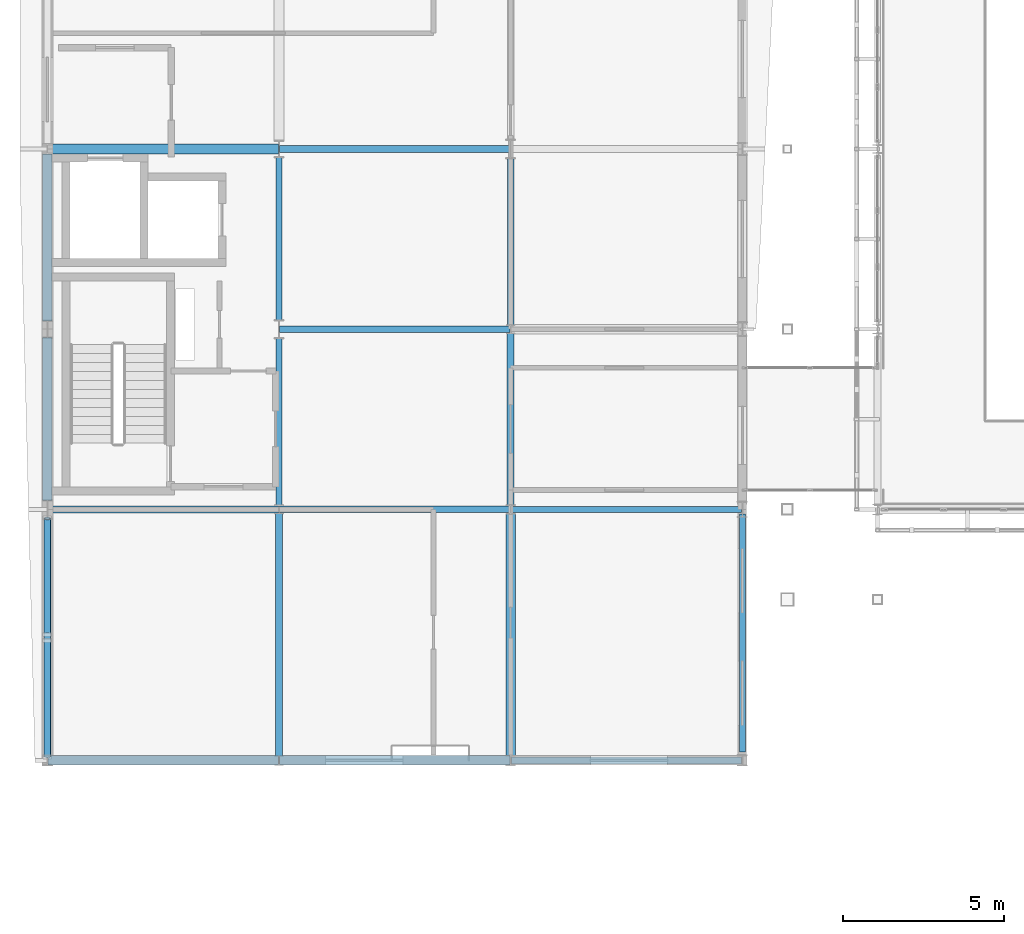
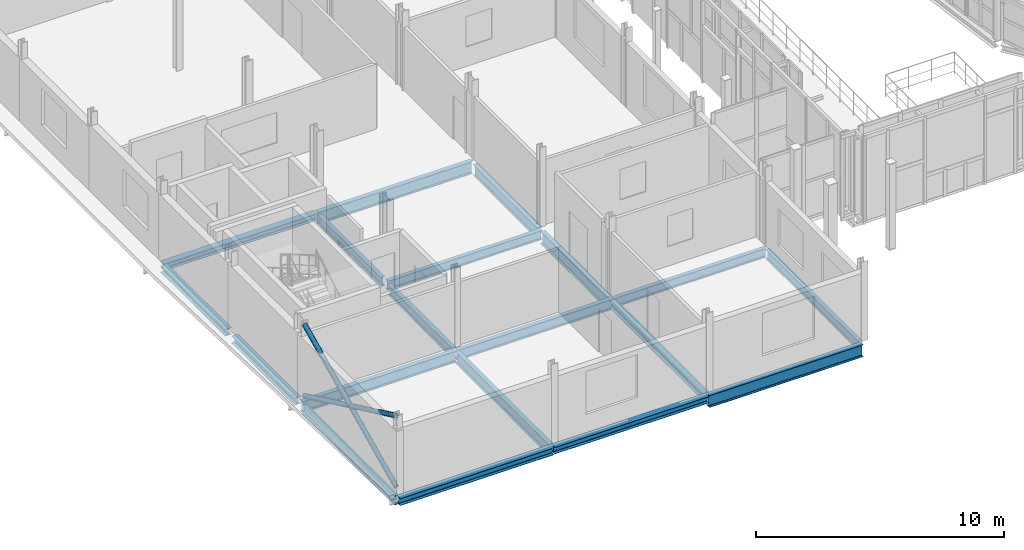
# One storey, part 19 of 78: 19 beams, 3 members.
"""IFC4 building model written with IfcOpenShell, lengths in metres."""

import ifcopenshell
import ifcopenshell.guid

model = None  # the IFC model being written
_history = None  # IfcOwnerHistory: only IFC2X3 demands one
_inside = {}  # id of a spatial element -> (the spatial element, [elements in it])
_under = {}  # id of a project, library or spatial element -> (it, [spatial elements below it])
_declared = {}  # id of a project -> (the project, [libraries it declares])
_typed = {}  # id of a type object -> (the type object, [elements of that type])
_made_of = {}  # id of a material, layer set ... -> (it, [elements and type objects made of it])


def new_model(schema):
    """Start an empty IFC model of exactly this schema.

    Asked for "IFC4X3", IfcOpenShell would pick the latest addendum, in which some entities
    have other attributes; the version numbers below select the first issue.
    IFC2X3 requires an IfcOwnerHistory on every rooted entity: one is made here for all.
    """
    global model, _history
    if schema == "IFC4X3":
        model = ifcopenshell.file(schema_version=(4, 3, 0, 0))
    else:
        model = ifcopenshell.file(schema=schema)
    _inside.clear()
    _under.clear()
    _declared.clear()
    _typed.clear()
    _made_of.clear()
    _history = None
    if model.schema == "IFC2X3":
        org = make("IfcOrganization", Name="unknown")
        user = make(
            "IfcPersonAndOrganization",
            ThePerson=make("IfcPerson", FamilyName="unknown"),
            TheOrganization=org,
        )
        app = make(
            "IfcApplication",
            ApplicationDeveloper=org,
            Version="unknown",
            ApplicationFullName="unknown",
            ApplicationIdentifier="unknown",
        )
        _history = make(
            "IfcOwnerHistory",
            OwningUser=user,
            OwningApplication=app,
            ChangeAction="ADDED",
            CreationDate=0,
        )
    return model


def make(cls, **values):
    """One entity of the class cls with the attributes given. An attribute that is None is left unset."""
    return model.create_entity(
        cls, **{name: value for name, value in values.items() if value is not None}
    )


def rooted(cls, **values):
    """An entity with a GlobalId (a new one), such as an element, a storey or a relation."""
    return make(cls, GlobalId=ifcopenshell.guid.new(), OwnerHistory=_history, **values)


def si_unit(unit_type, name, prefix=None):
    """IfcSIUnit, for example si_unit("LENGTHUNIT", "METRE", prefix="MILLI")."""
    return make("IfcSIUnit", UnitType=unit_type, Prefix=prefix, Name=name)


def assignment(units):
    """IfcUnitAssignment: the units of a project."""
    return None if units is None else make("IfcUnitAssignment", Units=units)


def point(xyz):
    """IfcCartesianPoint."""
    return None if xyz is None else make("IfcCartesianPoint", Coordinates=xyz)


def direction(xyz):
    """IfcDirection."""
    return None if xyz is None else make("IfcDirection", DirectionRatios=xyz)


def frame(location, z_axis=None, x_axis=None):
    """IfcAxis2Placement3D, a coordinate frame: its origin and axes. An axis left out is left unset."""
    return make(
        "IfcAxis2Placement3D",
        Location=point(location),
        Axis=direction(z_axis),
        RefDirection=direction(x_axis),
    )


def frame_2d(location, x_axis=None):
    """IfcAxis2Placement2D, a coordinate frame in the plane: its origin and x axis."""
    return make(
        "IfcAxis2Placement2D", Location=point(location), RefDirection=direction(x_axis)
    )


def origin():
    """The frame at (0, 0, 0) with its axes left unset."""
    return frame((0.0, 0.0, 0.0))


def origin_2d():
    """The frame at (0, 0) in the plane with its x axis left unset."""
    return frame_2d((0.0, 0.0))


def place(relative_to, where):
    """IfcLocalPlacement: puts the frame where relative to a parent placement (None: the world)."""
    return make(
        "IfcLocalPlacement", PlacementRelTo=relative_to, RelativePlacement=where
    )


def context(
    kind, dimensions, precision=None, world=None, true_north=None, identifier=None
):
    """IfcGeometricRepresentationContext, for example the 3D "Model" context."""
    return make(
        "IfcGeometricRepresentationContext",
        ContextIdentifier=identifier,
        ContextType=kind,
        CoordinateSpaceDimension=dimensions,
        Precision=precision,
        WorldCoordinateSystem=world,
        TrueNorth=true_north,
    )


def subcontext(parent, identifier, kind, view, scale=None):
    """IfcGeometricRepresentationSubContext, for example "Body" below "Model"."""
    return make(
        "IfcGeometricRepresentationSubContext",
        ContextIdentifier=identifier,
        ContextType=kind,
        ParentContext=parent,
        TargetScale=scale,
        TargetView=view,
    )


def project(units=None, contexts=None):
    """IfcProject with its units and contexts."""
    return rooted(
        "IfcProject",
        Name="project",
        RepresentationContexts=contexts,
        UnitsInContext=assignment(units),
    )


def spatial(cls, under=None, at=None, **own):
    """A site, building, storey or space (cls), placed at a placement, below another one or the project."""
    s = rooted(cls, ObjectPlacement=at, **own)
    if under is not None:
        _under.setdefault(under.id(), (under, []))[1].append(s)
    return s


def profile(cls, at=None, kind="AREA", **sizes):
    """A parametric profile (cls). Its sizes go by their IFC names, for example OverallWidth=200.0."""
    return make(cls, ProfileType=kind, Position=at, **sizes)


def hollow_circle(**sizes):
    """IfcCircleHollowProfileDef."""
    return profile("IfcCircleHollowProfileDef", **sizes)


def i_section(**sizes):
    """IfcIShapeProfileDef."""
    return profile("IfcIShapeProfileDef", **sizes)


def extrude(swept, where, along, depth):
    """IfcExtrudedAreaSolid: the profile swept, set in the frame where, extruded along a direction by depth."""
    return make(
        "IfcExtrudedAreaSolid",
        SweptArea=swept,
        Position=where,
        ExtrudedDirection=direction(along),
        Depth=depth,
    )


def shape(context_of_items, identifier, shape_type, items):
    """IfcShapeRepresentation: the items that make up one representation, for example the "Body"."""
    return make(
        "IfcShapeRepresentation",
        ContextOfItems=context_of_items,
        RepresentationIdentifier=identifier,
        RepresentationType=shape_type,
        Items=items,
    )


def material(Name=None, Category=None):
    """IfcMaterial."""
    return make("IfcMaterial", Name=Name, Category=Category)


def material_profile(
    of_material, cross_section, Name=None, Category=None, Priority=None
):
    """IfcMaterialProfile: a cross section and its material."""
    return make(
        "IfcMaterialProfile",
        Name=Name,
        Material=of_material,
        Profile=cross_section,
        Priority=Priority,
        Category=Category,
    )


def profile_set(profiles, Name=None, composite=None):
    """IfcMaterialProfileSet."""
    return make(
        "IfcMaterialProfileSet",
        Name=Name,
        MaterialProfiles=profiles,
        CompositeProfile=composite,
    )


def made_of(thing, what):
    """Note that an element or type object is made of a material, layer set ...; save() writes the relation."""
    if what is not None:
        _made_of.setdefault(what.id(), (what, []))[1].append(thing)
    return thing


def type_object(cls, material=None, **own):
    """A type object (cls), such as IfcWallType, which elements share."""
    return made_of(rooted(cls, **own), material)


def element(
    cls,
    number,
    at=None,
    inside=None,
    cuts=None,
    type_object=None,
    material=None,
    context=None,
    identifier="Body",
    shape_type=None,
    held_by="IfcProductDefinitionShape",
    body=None,
    shapes=None,
    **own,
):
    """One element of the class cls, such as IfcWall. Its Tag is "e" and its number.

    at: its placement. inside: the storey or other place that contains it. cuts: it is an
    opening in that element (IfcRelVoidsElement). A single representation is given by context,
    identifier, shape_type and body (its items); several are given by shapes. held_by: the class
    of the entity that holds the representations. save() writes the other relations.
    """
    e = rooted(cls, Tag="e%d" % number, ObjectPlacement=at, **own)
    if body is not None:
        shapes = [shape(context, identifier, shape_type, body)]
    if shapes is not None:
        e.Representation = make(held_by, Representations=shapes)
    if inside is not None:
        _inside.setdefault(inside.id(), (inside, []))[1].append(e)
    if cuts is not None:
        rooted(
            "IfcRelVoidsElement", RelatingBuildingElement=cuts, RelatedOpeningElement=e
        )
    if type_object is not None:
        _typed.setdefault(type_object.id(), (type_object, []))[1].append(e)
    return made_of(e, material)


def aggregate(whole, parts):
    """IfcRelAggregates: a whole, such as a stair, and the parts it consists of."""
    return rooted("IfcRelAggregates", RelatingObject=whole, RelatedObjects=parts)


def save(model, path):
    """Write the relations noted so far, then the file.

    IfcRelAggregates (storeys below a building ...), IfcRelContainedInSpatialStructure (elements
    in a storey), IfcRelDefinesByType, IfcRelAssociatesMaterial and IfcRelDeclares: one each for
    every whole, place, type object, material and project.
    """
    for whole, parts in _under.values():
        aggregate(whole, parts)
    for where, things in _inside.values():
        rooted(
            "IfcRelContainedInSpatialStructure",
            RelatedElements=things,
            RelatingStructure=where,
        )
    for kind, things in _typed.values():
        rooted("IfcRelDefinesByType", RelatedObjects=things, RelatingType=kind)
    for what, things in _made_of.values():
        rooted("IfcRelAssociatesMaterial", RelatedObjects=things, RelatingMaterial=what)
    for by, libraries in _declared.values():
        rooted("IfcRelDeclares", RelatingContext=by, RelatedDefinitions=libraries)
    model.write(path)


model = new_model("IFC4")

# Units and contexts
model_context = context("Model", 3, precision=1e-05, world=origin(), true_north=direction((0.0, 1.0)))
body_context = subcontext(model_context, "Body", "Model", "MODEL_VIEW")
ifc_project = project(units=[si_unit("LENGTHUNIT", "METRE"), si_unit("AREAUNIT", "SQUARE_METRE"), si_unit("VOLUMEUNIT", "CUBIC_METRE"), si_unit("PLANEANGLEUNIT", "RADIAN"), si_unit("MASSUNIT", "GRAM", prefix="KILO")], contexts=[model_context])

# Site, building, storey
site_placement = place(None, origin())
site = spatial("IfcSite", under=ifc_project, at=site_placement, CompositionType="ELEMENT")
building_placement = place(site_placement, origin())
building = spatial("IfcBuilding", under=site, at=building_placement, Name="Vinh Khe Railworks Police Headquarters", CompositionType="ELEMENT")
storey_placement = place(building_placement, frame((0.0, 0.0, 13.199951171875)))
storey = spatial("IfcBuildingStorey", under=building, at=storey_placement, Name="L03", CompositionType="ELEMENT", Elevation=13.199951171875)

# Members
ifc_material = material(Name="Steel S355JR", Category="steel")
ifc_material_profile_1 = material_profile(ifc_material, hollow_circle(Radius=0.109619140625, WallThickness=0.012451171875, at=origin_2d()), Name="CHS 219.1x12.5")
ifc_profile_set_1 = profile_set([ifc_material_profile_1], Name="Steel S355JR")
member_type = type_object("IfcMemberType", Name="Concentric Brace CHS 219.1x12.5", PredefinedType="BRACE", material=ifc_profile_set_1)
member_placement = place(storey_placement, frame((0.60009765625, 17.52490234375, 0.199951171875), z_axis=(0.0, 0.903875113674, 0.427796422239), x_axis=(-1.0, 0.0, 0.0)))
element("IfcMember", 1, at=member_placement, inside=storey, type_object=member_type, Name="Continuous Concentric Brace MEM-BR-L03-BR-10-010", PredefinedType="BRACE", context=body_context, shape_type="SweptSolid", body=[
    extrude(hollow_circle(Radius=0.109619140625, WallThickness=0.012451171875, at=origin_2d()), origin(), (0.0, 0.0, 1.0), 8.181396484375),
])
for number, where, z_axis, x_axis, name in (
    (2, (0.60009765625, 17.52490234375, 3.699951171875), (0.0, 0.903881546354, -0.427782830605), (-1.0, 0.0, 0.0), "Split X-Brace Segment MEM-BR-L03-BR-10-011 (2A)"),
    (3, (0.60009765625, 21.325439453125, 1.9013671875), (0.0, 0.903857807261, -0.427832986402), (-1.0, 0.0, 0.0), "Split X-Brace Segment MEM-BR-L03-BR-10-012 (2B)"),
):
    element("IfcMember", number, at=place(storey_placement, frame(where, z_axis=z_axis, x_axis=x_axis)), inside=storey, type_object=member_type, Name=name, PredefinedType="BRACE", context=body_context, shape_type="SweptSolid", body=[
        extrude(hollow_circle(Radius=0.109619140625, WallThickness=0.012451171875, at=origin_2d()), origin(), (0.0, 0.0, 1.0), 3.976806640625),
    ])

# Beams
ifc_material_profile_2 = material_profile(ifc_material, i_section(OverallWidth=0.300048828125, OverallDepth=0.330078125, WebThickness=0.009521484375, FlangeThickness=0.0166015625, FilletRadius=0.027099609375, at=origin_2d()), Name="HEA 340")
ifc_profile_set_2 = profile_set([ifc_material_profile_2], Name="Steel S355JR")
beam_type_1 = type_object("IfcBeamType", Name="Steel Girder HEA 340", PredefinedType="BEAM", material=ifc_profile_set_2)
for number, where, z_axis, x_axis, name in (
    (4, (7.820068359375, 17.39990234375, -0.385009765625), (1.0, 0.0, 0.0), (0.0, 1.0, 0.0), "Girder BM-L03-EW-SB-16-1034"),
    (5, (0.6201171875, 36.39990234375, -0.385009765625), (1.0, 0.0, 0.0), (0.0, 1.0, 0.0), "Girder BM-L03-EW-SB-16-1046"),
):
    element("IfcBeam", number, at=place(storey_placement, frame(where, z_axis=z_axis, x_axis=x_axis)), inside=storey, type_object=beam_type_1, Name=name, PredefinedType="BEAM", context=body_context, shape_type="SweptSolid", body=[
        extrude(i_section(OverallWidth=0.300048828125, OverallDepth=0.330078125, WebThickness=0.009521484375, FlangeThickness=0.0166015625, FilletRadius=0.027099609375, at=origin_2d()), origin(), (0.0, 0.0, 1.0), 7.159912109375),
    ])
beam_1_placement = place(storey_placement, frame((0.60009765625, 31.054931640625, -0.385009765625), z_axis=(0.0, 1.0, 0.0), x_axis=(-1.0, 0.0, 0.0)))
element("IfcBeam", 6, at=beam_1_placement, inside=storey, type_object=beam_type_1, Name="Girder BM-L03-NS-SB-16-1148", PredefinedType="BEAM", context=body_context, shape_type="SweptSolid", body=[
    extrude(i_section(OverallWidth=0.300048828125, OverallDepth=0.330078125, WebThickness=0.009521484375, FlangeThickness=0.0166015625, FilletRadius=0.027099609375, at=origin_2d()), origin(), (0.0, 0.0, 1.0), 5.195068359375),
])
beam_2_placement = place(storey_placement, frame((15.0, 17.550048828125, -0.385009765625), z_axis=(0.0, 1.0, 0.0), x_axis=(-1.0, 0.0, 0.0)))
element("IfcBeam", 7, at=beam_2_placement, inside=storey, type_object=beam_type_1, Name="Girder BM-L03-NS-SB-16-1178", PredefinedType="BEAM", context=body_context, shape_type="SweptSolid", body=[
    extrude(i_section(OverallWidth=0.300048828125, OverallDepth=0.330078125, WebThickness=0.009521484375, FlangeThickness=0.0166015625, FilletRadius=0.027099609375, at=origin_2d()), origin(), (0.0, 0.0, 1.0), 7.514892578125),
])
ifc_material_profile_3 = material_profile(ifc_material, i_section(OverallWidth=0.300048828125, OverallDepth=0.35009765625, WebThickness=0.010009765625, FlangeThickness=0.017578125, FilletRadius=0.027099609375, at=origin_2d()), Name="HEA 360")
ifc_profile_set_3 = profile_set([ifc_material_profile_3], Name="Steel S355JR")
beam_type_2 = type_object("IfcBeamType", Name="Steel Girder HEA 360", PredefinedType="BEAM", material=ifc_profile_set_3)
beam_3_placement = place(storey_placement, frame((0.6201171875, 17.39990234375, -0.39501953125), z_axis=(1.0, 0.0, 0.0), x_axis=(0.0, 1.0, 0.0)))
element("IfcBeam", 8, at=beam_3_placement, inside=storey, type_object=beam_type_2, Name="Girder BM-L03-EW-SB-15-1033", PredefinedType="BEAM", context=body_context, shape_type="SweptSolid", body=[
    extrude(i_section(OverallWidth=0.300048828125, OverallDepth=0.35009765625, WebThickness=0.010009765625, FlangeThickness=0.017578125, FilletRadius=0.027099609375, at=origin_2d()), origin(), (0.0, 0.0, 1.0), 7.159912109375),
])
beam_4_placement = place(storey_placement, frame((0.60009765625, 25.47998046875, -0.39501953125), z_axis=(0.0, 1.0, 0.0), x_axis=(-1.0, 0.0, 0.0)))
element("IfcBeam", 9, at=beam_4_placement, inside=storey, type_object=beam_type_2, Name="Girder BM-L03-NS-SB-15-1147", PredefinedType="BEAM", context=body_context, shape_type="SweptSolid", body=[
    extrude(i_section(OverallWidth=0.300048828125, OverallDepth=0.35009765625, WebThickness=0.010009765625, FlangeThickness=0.017578125, FilletRadius=0.027099609375, at=origin_2d()), origin(), (0.0, 0.0, 1.0), 5.06494140625),
])
ifc_material_profile_4 = material_profile(ifc_material, i_section(OverallWidth=0.18994140625, OverallDepth=0.449951171875, WebThickness=0.009521484375, FlangeThickness=0.0146484375, FilletRadius=0.02099609375, at=origin_2d()), Name="IPE 450")
ifc_profile_set_4 = profile_set([ifc_material_profile_4], Name="Steel S355JR")
beam_type_3 = type_object("IfcBeamType", Name="Steel Girder IPE 450", PredefinedType="BEAM", material=ifc_profile_set_4)
for number, where, z_axis, x_axis, name in (
    (10, (15.02001953125, 25.199951171875, -0.445068359375), (1.0, 0.0, 0.0), (0.0, 1.0, 0.0), "Girder BM-L03-EW-SB-20-1038"),
    (11, (7.820068359375, 30.800048828125, -0.445068359375), (1.0, 0.0, 0.0), (0.0, 1.0, 0.0), "Girder BM-L03-EW-SB-20-1044"),
):
    element("IfcBeam", number, at=place(storey_placement, frame(where, z_axis=z_axis, x_axis=x_axis)), inside=storey, type_object=beam_type_3, Name=name, PredefinedType="BEAM", context=body_context, shape_type="SweptSolid", body=[
        extrude(i_section(OverallWidth=0.18994140625, OverallDepth=0.449951171875, WebThickness=0.009521484375, FlangeThickness=0.0146484375, FilletRadius=0.02099609375, at=origin_2d()), origin(), (0.0, 0.0, 1.0), 7.159912109375),
    ])
beam_5_placement = place(storey_placement, frame((0.60009765625, 17.52490234375, -0.445068359375), z_axis=(0.0, 1.0, 0.0), x_axis=(-1.0, 0.0, 0.0)))
element("IfcBeam", 12, at=beam_5_placement, inside=storey, type_object=beam_type_3, Name="Girder BM-L03-NS-SB-20-1146", PredefinedType="BEAM", context=body_context, shape_type="SweptSolid", body=[
    extrude(i_section(OverallWidth=0.18994140625, OverallDepth=0.449951171875, WebThickness=0.009521484375, FlangeThickness=0.0146484375, FilletRadius=0.02099609375, at=origin_2d()), origin(), (0.0, 0.0, 1.0), 7.39501953125),
])
beam_6_placement = place(storey_placement, frame((7.800048828125, 31.080078125, -0.445068359375), z_axis=(0.0, 1.0, 0.0), x_axis=(-1.0, 0.0, 0.0)))
element("IfcBeam", 13, at=beam_6_placement, inside=storey, type_object=beam_type_3, Name="Girder BM-L03-NS-SB-20-1164", PredefinedType="BEAM", context=body_context, shape_type="SweptSolid", body=[
    extrude(i_section(OverallWidth=0.18994140625, OverallDepth=0.449951171875, WebThickness=0.009521484375, FlangeThickness=0.0146484375, FilletRadius=0.02099609375, at=origin_2d()), origin(), (0.0, 0.0, 1.0), 5.06494140625),
])
beam_7_placement = place(storey_placement, frame((22.199951171875, 17.655029296875, -0.445068359375), z_axis=(0.0, 1.0, 0.0), x_axis=(-1.0, 0.0, 0.0)))
element("IfcBeam", 14, at=beam_7_placement, inside=storey, type_object=beam_type_3, Name="Girder BM-L03-NS-SB-20-1194", PredefinedType="BEAM", context=body_context, shape_type="SweptSolid", body=[
    extrude(i_section(OverallWidth=0.18994140625, OverallDepth=0.449951171875, WebThickness=0.009521484375, FlangeThickness=0.0146484375, FilletRadius=0.02099609375, at=origin_2d()), origin(), (0.0, 0.0, 1.0), 7.39501953125),
])
ifc_material_profile_5 = material_profile(ifc_material, i_section(OverallWidth=0.199951171875, OverallDepth=0.5, WebThickness=0.01025390625, FlangeThickness=0.01611328125, FilletRadius=0.02099609375, at=origin_2d()), Name="IPE 500")
ifc_profile_set_5 = profile_set([ifc_material_profile_5], Name="Steel S355JR")
beam_type_4 = type_object("IfcBeamType", Name="Steel Girder IPE 500", PredefinedType="BEAM", material=ifc_profile_set_5)
beam_8_placement = place(storey_placement, frame((7.820068359375, 25.199951171875, -0.469970703125), z_axis=(1.0, 0.0, 0.0), x_axis=(0.0, 1.0, 0.0)))
element("IfcBeam", 15, at=beam_8_placement, inside=storey, type_object=beam_type_4, Name="Girder BM-L03-EW-SB-19-1037", PredefinedType="BEAM", context=body_context, shape_type="SweptSolid", body=[
    extrude(i_section(OverallWidth=0.199951171875, OverallDepth=0.5, WebThickness=0.01025390625, FlangeThickness=0.01611328125, FilletRadius=0.02099609375, at=origin_2d()), origin(), (0.0, 0.0, 1.0), 7.159912109375),
])
beam_9_placement = place(storey_placement, frame((7.800048828125, 25.324951171875, -0.469970703125), z_axis=(0.0, 1.0, 0.0), x_axis=(-1.0, 0.0, 0.0)))
element("IfcBeam", 16, at=beam_9_placement, inside=storey, type_object=beam_type_4, Name="Girder BM-L03-NS-SB-19-1163", PredefinedType="BEAM", context=body_context, shape_type="SweptSolid", body=[
    extrude(i_section(OverallWidth=0.199951171875, OverallDepth=0.5, WebThickness=0.01025390625, FlangeThickness=0.01611328125, FilletRadius=0.02099609375, at=origin_2d()), origin(), (0.0, 0.0, 1.0), 5.195068359375),
])
ifc_material_profile_6 = material_profile(ifc_material, i_section(OverallWidth=0.2099609375, OverallDepth=0.550048828125, WebThickness=0.010986328125, FlangeThickness=0.01708984375, FilletRadius=0.02392578125, at=origin_2d()), Name="IPE 550")
ifc_profile_set_6 = profile_set([ifc_material_profile_6], Name="Steel S355JR")
beam_type_5 = type_object("IfcBeamType", Name="Steel Girder IPE 550", PredefinedType="BEAM", material=ifc_profile_set_6)
beam_10_placement = place(storey_placement, frame((0.6201171875, 25.199951171875, -0.494873046875), z_axis=(1.0, 0.0, 0.0), x_axis=(0.0, 1.0, 0.0)))
element("IfcBeam", 17, at=beam_10_placement, inside=storey, type_object=beam_type_5, Name="Girder BM-L03-EW-SB-18-1036", PredefinedType="BEAM", context=body_context, shape_type="SweptSolid", body=[
    extrude(i_section(OverallWidth=0.2099609375, OverallDepth=0.550048828125, WebThickness=0.010986328125, FlangeThickness=0.01708984375, FilletRadius=0.02392578125, at=origin_2d()), origin(), (0.0, 0.0, 1.0), 7.159912109375),
])
beam_11_placement = place(storey_placement, frame((7.800048828125, 17.534912109375, -0.494873046875), z_axis=(0.0, 1.0, 0.0), x_axis=(-1.0, 0.0, 0.0)))
element("IfcBeam", 18, at=beam_11_placement, inside=storey, type_object=beam_type_5, Name="Girder BM-L03-NS-SB-18-1162", PredefinedType="BEAM", context=body_context, shape_type="SweptSolid", body=[
    extrude(i_section(OverallWidth=0.2099609375, OverallDepth=0.550048828125, WebThickness=0.010986328125, FlangeThickness=0.01708984375, FilletRadius=0.02392578125, at=origin_2d()), origin(), (0.0, 0.0, 1.0), 7.5400390625),
])
beam_12_placement = place(storey_placement, frame((15.0, 30.925048828125, -0.494873046875), z_axis=(0.0, 1.0, 0.0), x_axis=(-1.0, 0.0, 0.0)))
element("IfcBeam", 19, at=beam_12_placement, inside=storey, type_object=beam_type_5, Name="Girder BM-L03-NS-SB-18-1180", PredefinedType="BEAM", context=body_context, shape_type="SweptSolid", body=[
    extrude(i_section(OverallWidth=0.2099609375, OverallDepth=0.550048828125, WebThickness=0.010986328125, FlangeThickness=0.01708984375, FilletRadius=0.02392578125, at=origin_2d()), origin(), (0.0, 0.0, 1.0), 5.195068359375),
])
ifc_material_profile_7 = material_profile(ifc_material, i_section(OverallWidth=0.219970703125, OverallDepth=0.60009765625, WebThickness=0.011962890625, FlangeThickness=0.01904296875, FilletRadius=0.02392578125, at=origin_2d()), Name="IPE 600")
ifc_profile_set_7 = profile_set([ifc_material_profile_7], Name="Steel S355JR")
beam_type_6 = type_object("IfcBeamType", Name="Steel Girder IPE 600", PredefinedType="BEAM", material=ifc_profile_set_7)
for number, where, z_axis, x_axis, name in (
    (20, (15.02001953125, 17.39990234375, -0.52001953125), (1.0, 0.0, 0.0), (0.0, 1.0, 0.0), "Girder BM-L03-EW-SB-17-1035"),
    (21, (7.820068359375, 36.39990234375, -0.52001953125), (1.0, 0.0, 0.0), (0.0, 1.0, 0.0), "Girder BM-L03-EW-SB-17-1047"),
):
    element("IfcBeam", number, at=place(storey_placement, frame(where, z_axis=z_axis, x_axis=x_axis)), inside=storey, type_object=beam_type_6, Name=name, PredefinedType="BEAM", context=body_context, shape_type="SweptSolid", body=[
        extrude(i_section(OverallWidth=0.219970703125, OverallDepth=0.60009765625, WebThickness=0.011962890625, FlangeThickness=0.01904296875, FilletRadius=0.02392578125, at=origin_2d()), origin(), (0.0, 0.0, 1.0), 7.159912109375),
    ])
beam_13_placement = place(storey_placement, frame((15.0, 25.3349609375, -0.52001953125), z_axis=(0.0, 1.0, 0.0), x_axis=(-1.0, 0.0, 0.0)))
element("IfcBeam", 22, at=beam_13_placement, inside=storey, type_object=beam_type_6, Name="Girder BM-L03-NS-SB-17-1179", PredefinedType="BEAM", context=body_context, shape_type="SweptSolid", body=[
    extrude(i_section(OverallWidth=0.219970703125, OverallDepth=0.60009765625, WebThickness=0.011962890625, FlangeThickness=0.01904296875, FilletRadius=0.02392578125, at=origin_2d()), origin(), (0.0, 0.0, 1.0), 5.340087890625),
])

save(model, "model.ifc")
